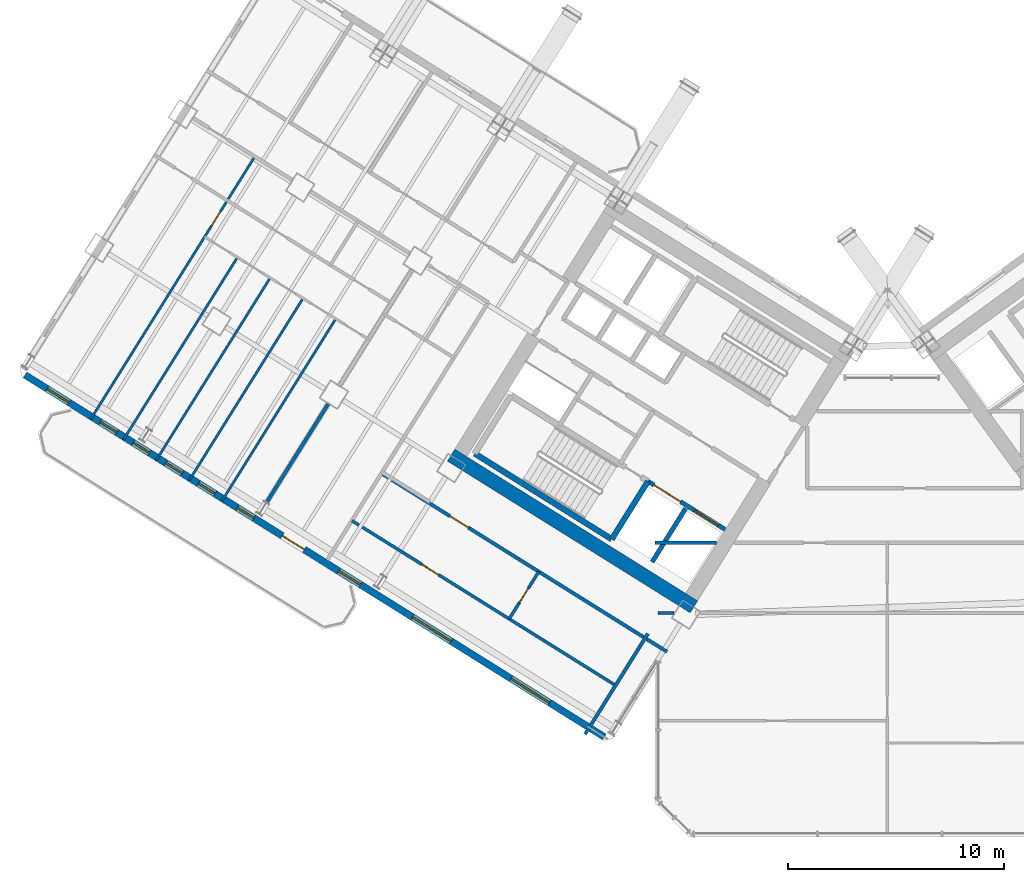
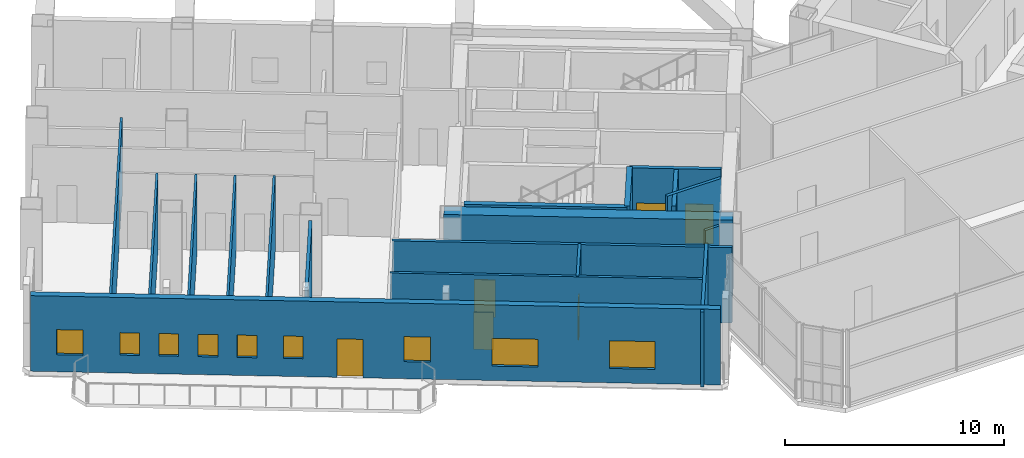
# One storey, part 21 of 30: 18 walls, 9 windows, 7 doors, 16 openings.
"""IFC4 building model written with IfcOpenShell, lengths in metres."""

from ifc_helpers import new_model, si_unit, direction, frame, frame_2d, origin, place, context, subcontext, project, spatial, rectangle, extrude, source, transform, mapped, material, layer, layer_set, type_object, element, fill, save


model = new_model("IFC4")

# Units and contexts
model_context = context("Model", 3, precision=1e-05, world=origin(), true_north=direction((0.0, 1.0)))
body_context = subcontext(model_context, "Body", "Model", "MODEL_VIEW")
ifc_project = project(units=[si_unit("LENGTHUNIT", "METRE"), si_unit("AREAUNIT", "SQUARE_METRE"), si_unit("VOLUMEUNIT", "CUBIC_METRE"), si_unit("PLANEANGLEUNIT", "RADIAN"), si_unit("MASSUNIT", "GRAM", prefix="KILO")], contexts=[model_context])

# Site, building, storey
site_placement = place(None, origin())
site = spatial("IfcSite", under=ifc_project, at=site_placement, CompositionType="ELEMENT")
building_placement = place(site_placement, origin())
building = spatial("IfcBuilding", under=site, at=building_placement, Name="Tlacorven Tower", CompositionType="ELEMENT")
storey_placement = place(building_placement, frame((0.0, 0.0, 67.199951171875)))
storey = spatial("IfcBuildingStorey", under=building, at=storey_placement, Name="L17", CompositionType="ELEMENT", Elevation=67.199951171875)

# Walls
ifc_material_1 = material(Name="Concrete C60/75", Category="concrete")
ifc_layer_1 = layer(ifc_material_1, 0.64990234375)
ifc_layer_set_1 = layer_set([ifc_layer_1], Name="Concrete C60/75")
wall_type_1 = type_object("IfcWallType", Name="WL-COR-650", PredefinedType="SHEAR", material=ifc_layer_set_1)
wall_1_placement = place(storey_placement, frame((33.40869140625, 12.449951171875, 0.0), z_axis=(0.0, 0.0, 1.0), x_axis=(-0.848051132073, 0.529914405721, 0.0)))
element("IfcWall", 1, at=wall_1_placement, inside=storey, type_object=wall_type_1, Name="L17 W core shear wall S2", PredefinedType="SHEAR", context=body_context, shape_type="SweptSolid", body=[
    extrude(rectangle(XDim=13.239990234375, YDim=0.64990234375, at=frame_2d((6.6201171875, 0.0))), origin(), (0.0, 0.0, 1.0), 4.219970703125),
])
ifc_material_2 = material(Name="Gypsum plasterboard acoustic partition", Category="gypsum")
ifc_layer_2 = layer(ifc_material_2, 0.159912109375)
ifc_layer_set_2 = layer_set([ifc_layer_2], Name="Gypsum plasterboard acoustic partition")
wall_type_2 = type_object("IfcWallType", Name="WL-DEM-160", PredefinedType="PARTITIONING", material=ifc_layer_set_2)
wall_2_placement = place(storey_placement, frame((16.4921875, 21.8271484375, 0.0), z_axis=(0.0, 0.0, 1.0), x_axis=(-0.529904608059, -0.848057254175, 0.0)))
element("IfcWall", 2, at=wall_2_placement, inside=storey, type_object=wall_type_2, Name="L17 WN Demising Wall 1", PredefinedType="PARTITIONING", context=body_context, shape_type="SweptSolid", body=[
    extrude(rectangle(XDim=5.350830078125, YDim=0.159912109375, at=frame_2d((2.67529296875, 0.0))), origin(), (0.0, 0.0, 1.0), 4.2099609375),
])

# Wall, opening, door
wall_3_placement = place(storey_placement, frame((32.164306640625, 10.373779296875, 0.0), z_axis=(0.0, 0.0, 1.0), x_axis=(-0.848044107957, 0.529925646633, 0.0)))
wall_3 = element("IfcWall", 3, at=wall_3_placement, inside=storey, type_object=wall_type_2, Name="L17 partition 73", PredefinedType="PARTITIONING", context=body_context, shape_type="SweptSolid", body=[
    extrude(rectangle(XDim=15.570068359375, YDim=0.159912109375, at=frame_2d((7.78515625, 0.0))), origin(), (0.0, 0.0, 1.0), 4.2099609375),
])
opening_1_placement = place(wall_3_placement, frame((10.830078125, 0.0, 0.0)))
opening_1 = element("IfcOpeningElement", 4, at=opening_1_placement, cuts=wall_3, Name="Opening D11", PredefinedType="OPENING", context=body_context, shape_type="SweptSolid", body=[
    extrude(rectangle(XDim=1.0, YDim=2.10009765625, at=frame_2d((0.5, 1.050048828125))), frame((0.0, 0.08984375, 0.0), z_axis=(0.0, -1.0, 0.0), x_axis=(1.0, 0.0, 0.0)), (0.0, 0.0, 1.0), 0.179931640625),
])
ifc_material_3 = material(Name="Fire-rated steel door assembly", Category="steel")
door_type_1 = type_object("IfcDoorType", Name="DR-FLT-FD60-1000", OperationType="NOTDEFINED", PredefinedType="DOOR", material=ifc_material_3)
shared_shape_1 = source(origin(), body_context, "Body", "SweptSolid", [
    extrude(rectangle(XDim=1.0, YDim=2.10009765625, at=frame_2d((0.5, 1.050048828125))), frame((0.0, 0.02490234375, 0.0), z_axis=(0.0, -1.0, 0.0), x_axis=(1.0, 0.0, 0.0)), (0.0, 0.0, 1.0), 0.050048828125),
])
door_1_placement = place(opening_1_placement, origin())
door_1 = element("IfcDoor", 5, at=door_1_placement, inside=storey, type_object=door_type_1, Name="L17 door 042", OperationType="SINGLE_SWING_LEFT", OverallHeight=2.10009765625, OverallWidth=1.0, PredefinedType="DOOR", context=body_context, shape_type="MappedRepresentation", body=[
    mapped(shared_shape_1, transform((0.0, 0.0, 0.0), scale=1.0)),
])
fill(opening_1, door_1)

# Walls
wall_4_placement = place(storey_placement, frame((31.282470703125, 11.2080078125, 0.0), z_axis=(0.0, 0.0, 1.0), x_axis=(-0.529938869374, -0.84803584519, 0.0)))
element("IfcWall", 6, at=wall_4_placement, inside=storey, type_object=wall_type_2, Name="L17 WC West Throat Wall", PredefinedType="PARTITIONING", context=body_context, shape_type="SweptSolid", body=[
    extrude(rectangle(XDim=5.47998046875, YDim=0.159912109375, at=frame_2d((2.739990234375, 0.0))), origin(), (0.0, 0.0, 1.0), 4.2099609375),
])
wall_5_placement = place(storey_placement, frame((31.60009765625, 15.419921875, 0.0), z_axis=(0.0, 0.0, 1.0), x_axis=(1.0, 0.0, 0.0)))
element("IfcWall", 7, at=wall_5_placement, inside=storey, type_object=wall_type_2, Name="L17 Knuckle Corridor South Wall", PredefinedType="PARTITIONING", context=body_context, shape_type="SweptSolid", body=[
    extrude(rectangle(XDim=2.8662109375, YDim=0.159912109375, at=frame_2d((1.43310546875, 0.0))), origin(), (0.0, 0.0, 1.0), 4.2099609375),
])

# Wall, openings, door, windows
ifc_material_4 = material(Name="Precast concrete C45/55", Category="concrete")
ifc_layer_3 = layer(ifc_material_4, 0.320068359375)
ifc_layer_set_3 = layer_set([ifc_layer_3], Name="Precast concrete C45/55")
wall_type_3 = type_object("IfcWallType", Name="WL-EXT-320", PredefinedType="STANDARD", material=ifc_layer_set_3)
wall_6_placement = place(storey_placement, frame((29.267822265625, 6.429443359375, 0.0), z_axis=(0.0, 0.0, 1.0), x_axis=(-0.848049971435, 0.529916263149, 0.0)))
wall_6 = element("IfcWall", 8, at=wall_6_placement, inside=storey, type_object=wall_type_3, Name="L17 Masonry-Frame Recessed Facade Wall 1", PredefinedType="STANDARD", context=body_context, shape_type="SweptSolid", body=[
    extrude(rectangle(XDim=31.587646484375, YDim=0.320068359375, at=frame_2d((15.7939453125, 0.0))), origin(), (0.0, 0.0, 1.0), 4.219970703125),
])
opening_2_placement = place(wall_6_placement, frame((16.36181640625, 0.0, 0.0)))
opening_2 = element("IfcOpeningElement", 9, at=opening_2_placement, cuts=wall_6, Name="Opening D05", PredefinedType="OPENING", context=body_context, shape_type="SweptSolid", body=[
    extrude(rectangle(XDim=1.199951171875, YDim=2.14990234375, at=frame_2d((0.60009765625, 1.074951171875))), frame((0.0, 0.169921875, 0.0), z_axis=(0.0, -1.0, 0.0), x_axis=(1.0, 0.0, 0.0)), (0.0, 0.0, 1.0), 0.340087890625),
])
opening_3_placement = place(wall_6_placement, frame((2.98876953125, 0.0, 0.800048828125)))
opening_3 = element("IfcOpeningElement", 10, at=opening_3_placement, cuts=wall_6, Name="Opening WN04", PredefinedType="OPENING", context=body_context, shape_type="SweptSolid", body=[
    extrude(rectangle(XDim=2.10009765625, YDim=1.550048828125, at=frame_2d((1.050048828125, 0.77490234375))), frame((0.0, 0.169921875, 0.0), z_axis=(0.0, -1.0, 0.0), x_axis=(1.0, 0.0, 0.0)), (0.0, 0.0, 1.0), 0.340087890625),
])
opening_4_placement = place(wall_6_placement, frame((8.358642578125, 0.0, 0.800048828125)))
opening_4 = element("IfcOpeningElement", 11, at=opening_4_placement, cuts=wall_6, Name="Opening WN04", PredefinedType="OPENING", context=body_context, shape_type="SweptSolid", body=[
    extrude(rectangle(XDim=2.10009765625, YDim=1.550048828125, at=frame_2d((1.050048828125, 0.77490234375))), frame((0.0, 0.169921875, 0.0), z_axis=(0.0, -1.0, 0.0), x_axis=(1.0, 0.0, 0.0)), (0.0, 0.0, 1.0), 0.340087890625),
])
opening_5_placement = place(wall_6_placement, frame((13.28369140625, 0.0, 0.949951171875)))
opening_5 = element("IfcOpeningElement", 12, at=opening_5_placement, cuts=wall_6, Name="Opening WN03", PredefinedType="OPENING", context=body_context, shape_type="SweptSolid", body=[
    extrude(rectangle(XDim=1.199951171875, YDim=1.39990234375, at=frame_2d((0.60009765625, 0.699951171875))), frame((0.0, 0.169921875, 0.0), z_axis=(0.0, -1.0, 0.0), x_axis=(1.0, 0.0, 0.0)), (0.0, 0.0, 1.0), 0.340087890625),
])
opening_6_placement = place(wall_6_placement, frame((29.18798828125, 0.0, 0.949951171875)))
opening_6 = element("IfcOpeningElement", 13, at=opening_6_placement, cuts=wall_6, Name="Opening WN03", PredefinedType="OPENING", context=body_context, shape_type="SweptSolid", body=[
    extrude(rectangle(XDim=1.199951171875, YDim=1.39990234375, at=frame_2d((0.60009765625, 0.699951171875))), frame((0.0, 0.169921875, 0.0), z_axis=(0.0, -1.0, 0.0), x_axis=(1.0, 0.0, 0.0)), (0.0, 0.0, 1.0), 0.340087890625),
])
opening_7_placement = place(wall_6_placement, frame((19.110107421875, 0.0, 1.0)))
opening_7 = element("IfcOpeningElement", 14, at=opening_7_placement, cuts=wall_6, Name="Opening WN05", PredefinedType="OPENING", context=body_context, shape_type="SweptSolid", body=[
    extrude(rectangle(XDim=0.89990234375, YDim=1.25, at=frame_2d((0.449951171875, 0.625))), frame((0.0, 0.169921875, 0.0), z_axis=(0.0, -1.0, 0.0), x_axis=(1.0, 0.0, 0.0)), (0.0, 0.0, 1.0), 0.340087890625),
])
opening_8_placement = place(wall_6_placement, frame((21.2255859375, 0.0, 1.0)))
opening_8 = element("IfcOpeningElement", 15, at=opening_8_placement, cuts=wall_6, Name="Opening WN05", PredefinedType="OPENING", context=body_context, shape_type="SweptSolid", body=[
    extrude(rectangle(XDim=0.89990234375, YDim=1.25, at=frame_2d((0.449951171875, 0.625))), frame((0.0, 0.169921875, 0.0), z_axis=(0.0, -1.0, 0.0), x_axis=(1.0, 0.0, 0.0)), (0.0, 0.0, 1.0), 0.340087890625),
])
opening_9_placement = place(wall_6_placement, frame((23.013671875, 0.0, 1.0)))
opening_9 = element("IfcOpeningElement", 16, at=opening_9_placement, cuts=wall_6, Name="Opening WN05", PredefinedType="OPENING", context=body_context, shape_type="SweptSolid", body=[
    extrude(rectangle(XDim=0.89990234375, YDim=1.25, at=frame_2d((0.449951171875, 0.625))), frame((0.0, 0.169921875, 0.0), z_axis=(0.0, -1.0, 0.0), x_axis=(1.0, 0.0, 0.0)), (0.0, 0.0, 1.0), 0.340087890625),
])
opening_10_placement = place(wall_6_placement, frame((24.8017578125, 0.0, 1.0)))
opening_10 = element("IfcOpeningElement", 17, at=opening_10_placement, cuts=wall_6, Name="Opening WN05", PredefinedType="OPENING", context=body_context, shape_type="SweptSolid", body=[
    extrude(rectangle(XDim=0.89990234375, YDim=1.25, at=frame_2d((0.449951171875, 0.625))), frame((0.0, 0.169921875, 0.0), z_axis=(0.0, -1.0, 0.0), x_axis=(1.0, 0.0, 0.0)), (0.0, 0.0, 1.0), 0.340087890625),
])
opening_11_placement = place(wall_6_placement, frame((26.589599609375, 0.0, 1.0)))
opening_11 = element("IfcOpeningElement", 18, at=opening_11_placement, cuts=wall_6, Name="Opening WN05", PredefinedType="OPENING", context=body_context, shape_type="SweptSolid", body=[
    extrude(rectangle(XDim=0.89990234375, YDim=1.25, at=frame_2d((0.449951171875, 0.625))), frame((0.0, 0.169921875, 0.0), z_axis=(0.0, -1.0, 0.0), x_axis=(1.0, 0.0, 0.0)), (0.0, 0.0, 1.0), 0.340087890625),
])
ifc_material_5 = material(Name="Powder-coated aluminium and timber door", Category="wood")
door_type_2 = type_object("IfcDoorType", Name="DR-EXT-BALC-1200", OperationType="NOTDEFINED", PredefinedType="DOOR", material=ifc_material_5)
shared_shape_2 = source(origin(), body_context, "Body", "SweptSolid", [
    extrude(rectangle(XDim=1.199951171875, YDim=2.14990234375, at=frame_2d((0.60009765625, 1.074951171875))), frame((0.0, 0.02490234375, 0.0), z_axis=(0.0, -1.0, 0.0), x_axis=(1.0, 0.0, 0.0)), (0.0, 0.0, 1.0), 0.050048828125),
])
door_2_placement = place(opening_2_placement, origin())
door_2 = element("IfcDoor", 19, at=door_2_placement, inside=storey, type_object=door_type_2, Name="L17 Outdoor Access Door BAL-L17-W-OUT", OperationType="SINGLE_SWING_LEFT", OverallHeight=2.14990234375, OverallWidth=1.199951171875, PredefinedType="DOOR", context=body_context, shape_type="MappedRepresentation", body=[
    mapped(shared_shape_2, transform((0.0, 0.0, 0.0), scale=1.0)),
])
fill(opening_2, door_2)
ifc_material_6 = material(Name="Dark solar low-E double glazing in anodised aluminium frame", Category="aluminium")
window_type_1 = type_object("IfcWindowType", Name="WN-APT-2100X1750", PartitioningType="SINGLE_PANEL", PredefinedType="WINDOW", material=ifc_material_6)
shared_shape_3 = source(origin(), body_context, "Body", "SweptSolid", [
    extrude(rectangle(XDim=2.10009765625, YDim=1.550048828125, at=frame_2d((1.050048828125, 0.77490234375))), frame((0.0, 0.030029296875, 0.0), z_axis=(0.0, -1.0, 0.0), x_axis=(1.0, 0.0, 0.0)), (0.0, 0.0, 1.0), 0.06005859375),
])
window_1_placement = place(opening_3_placement, origin())
window_1 = element("IfcWindow", 20, at=window_1_placement, inside=storey, type_object=window_type_1, Name="L17 Recessed Masonry-Frame Window L17-01.1", OverallHeight=1.550048828125, OverallWidth=2.10009765625, PartitioningType="SINGLE_PANEL", PredefinedType="WINDOW", context=body_context, shape_type="MappedRepresentation", body=[
    mapped(shared_shape_3, transform((0.0, 0.0, 0.0), scale=1.0)),
])
fill(opening_3, window_1)
window_2_placement = place(opening_4_placement, origin())
window_2 = element("IfcWindow", 21, at=window_2_placement, inside=storey, type_object=window_type_1, Name="L17 Recessed Masonry-Frame Window L17-01.2", OverallHeight=1.550048828125, OverallWidth=2.10009765625, PartitioningType="SINGLE_PANEL", PredefinedType="WINDOW", context=body_context, shape_type="MappedRepresentation", body=[
    mapped(shared_shape_3, transform((0.0, 0.0, 0.0), scale=1.0)),
])
fill(opening_4, window_2)
window_type_2 = type_object("IfcWindowType", Name="WN-APT-1200X1500", PartitioningType="SINGLE_PANEL", PredefinedType="WINDOW", material=ifc_material_6)
shared_shape_4 = source(origin(), body_context, "Body", "SweptSolid", [
    extrude(rectangle(XDim=1.199951171875, YDim=1.39990234375, at=frame_2d((0.60009765625, 0.699951171875))), frame((0.0, 0.030029296875, 0.0), z_axis=(0.0, -1.0, 0.0), x_axis=(1.0, 0.0, 0.0)), (0.0, 0.0, 1.0), 0.06005859375),
])
window_3_placement = place(opening_5_placement, origin())
window_3 = element("IfcWindow", 22, at=window_3_placement, inside=storey, type_object=window_type_2, Name="L17 Recessed Masonry-Frame Window L17-01.3", OverallHeight=1.39990234375, OverallWidth=1.199951171875, PartitioningType="SINGLE_PANEL", PredefinedType="WINDOW", context=body_context, shape_type="MappedRepresentation", body=[
    mapped(shared_shape_4, transform((0.0, 0.0, 0.0), scale=1.0)),
])
fill(opening_5, window_3)
window_4_placement = place(opening_6_placement, origin())
window_4 = element("IfcWindow", 23, at=window_4_placement, inside=storey, type_object=window_type_2, Name="L17 Recessed Masonry-Frame Window L17-01.4", OverallHeight=1.39990234375, OverallWidth=1.199951171875, PartitioningType="SINGLE_PANEL", PredefinedType="WINDOW", context=body_context, shape_type="MappedRepresentation", body=[
    mapped(shared_shape_4, transform((0.0, 0.0, 0.0), scale=1.0)),
])
fill(opening_6, window_4)
window_type_3 = type_object("IfcWindowType", Name="WN-APT-0900X1350", PartitioningType="SINGLE_PANEL", PredefinedType="WINDOW", material=ifc_material_6)
shared_shape_5 = source(origin(), body_context, "Body", "SweptSolid", [
    extrude(rectangle(XDim=0.89990234375, YDim=1.25, at=frame_2d((0.449951171875, 0.625))), frame((0.0, 0.030029296875, 0.0), z_axis=(0.0, -1.0, 0.0), x_axis=(1.0, 0.0, 0.0)), (0.0, 0.0, 1.0), 0.06005859375),
])
window_5_placement = place(opening_7_placement, origin())
window_5 = element("IfcWindow", 24, at=window_5_placement, inside=storey, type_object=window_type_3, Name="L17 Dwelling Daylight Window L17-U02-BD1", OverallHeight=1.25, OverallWidth=0.89990234375, PartitioningType="SINGLE_PANEL", PredefinedType="WINDOW", context=body_context, shape_type="MappedRepresentation", body=[
    mapped(shared_shape_5, transform((0.0, 0.0, 0.0), scale=1.0)),
])
fill(opening_7, window_5)
window_6_placement = place(opening_8_placement, origin())
window_6 = element("IfcWindow", 25, at=window_6_placement, inside=storey, type_object=window_type_3, Name="L17 Dwelling Daylight Window L17-U02-BD2", OverallHeight=1.25, OverallWidth=0.89990234375, PartitioningType="SINGLE_PANEL", PredefinedType="WINDOW", context=body_context, shape_type="MappedRepresentation", body=[
    mapped(shared_shape_5, transform((0.0, 0.0, 0.0), scale=1.0)),
])
fill(opening_8, window_6)
window_7_placement = place(opening_9_placement, origin())
window_7 = element("IfcWindow", 26, at=window_7_placement, inside=storey, type_object=window_type_3, Name="L17 Dwelling Daylight Window L17-U02-BD3", OverallHeight=1.25, OverallWidth=0.89990234375, PartitioningType="SINGLE_PANEL", PredefinedType="WINDOW", context=body_context, shape_type="MappedRepresentation", body=[
    mapped(shared_shape_5, transform((0.0, 0.0, 0.0), scale=1.0)),
])
fill(opening_9, window_7)
window_8_placement = place(opening_10_placement, origin())
window_8 = element("IfcWindow", 27, at=window_8_placement, inside=storey, type_object=window_type_3, Name="L17 Dwelling Daylight Window L17-U02-BD4", OverallHeight=1.25, OverallWidth=0.89990234375, PartitioningType="SINGLE_PANEL", PredefinedType="WINDOW", context=body_context, shape_type="MappedRepresentation", body=[
    mapped(shared_shape_5, transform((0.0, 0.0, 0.0), scale=1.0)),
])
fill(opening_10, window_8)
window_9_placement = place(opening_11_placement, origin())
window_9 = element("IfcWindow", 28, at=window_9_placement, inside=storey, type_object=window_type_3, Name="L17 Dwelling Daylight Window L17-U02-BD5", OverallHeight=1.25, OverallWidth=0.89990234375, PartitioningType="SINGLE_PANEL", PredefinedType="WINDOW", context=body_context, shape_type="MappedRepresentation", body=[
    mapped(shared_shape_5, transform((0.0, 0.0, 0.0), scale=1.0)),
])
fill(opening_11, window_9)

# Wall, opening, door
ifc_material_7 = material(Name="Gypsum plasterboard partition", Category="gypsum")
ifc_layer_4 = layer(ifc_material_7, 0.110107421875)
ifc_layer_set_4 = layer_set([ifc_layer_4], Name="Gypsum plasterboard partition")
wall_type_4 = type_object("IfcWallType", Name="WL-INT-110", PredefinedType="PARTITIONING", material=ifc_layer_set_4)
wall_7_placement = place(storey_placement, frame((13.103515625, 33.2744140625, 0.0), z_axis=(0.0, 0.0, 1.0), x_axis=(-0.529916182913, -0.848050021571, 0.0)))
wall_7 = element("IfcWall", 29, at=wall_7_placement, inside=storey, type_object=wall_type_4, Name="L17 partition 60", PredefinedType="PARTITIONING", context=body_context, shape_type="SweptSolid", body=[
    extrude(rectangle(XDim=14.320068359375, YDim=0.110107421875, at=frame_2d((7.16015625, 0.0))), origin(), (0.0, 0.0, 1.0), 4.2099609375),
])
opening_12_placement = place(wall_7_placement, frame((3.0, 0.0, 0.0)))
opening_12 = element("IfcOpeningElement", 30, at=opening_12_placement, cuts=wall_7, Name="Opening D22", PredefinedType="OPENING", context=body_context, shape_type="SweptSolid", body=[
    extrude(rectangle(XDim=0.780029296875, YDim=2.050048828125, at=frame_2d((0.39013671875, 1.02490234375))), frame((0.0, 0.06494140625, 0.0), z_axis=(0.0, -1.0, 0.0), x_axis=(1.0, 0.0, 0.0)), (0.0, 0.0, 1.0), 0.130126953125),
])
door_type_3 = type_object("IfcDoorType", Name="DR-INT-WET-0780", OperationType="NOTDEFINED", PredefinedType="DOOR", material=ifc_material_5)
shared_shape_6 = source(origin(), body_context, "Body", "SweptSolid", [
    extrude(rectangle(XDim=0.780029296875, YDim=2.050048828125, at=frame_2d((0.39013671875, 1.02490234375))), frame((0.0, 0.02490234375, 0.0), z_axis=(0.0, -1.0, 0.0), x_axis=(1.0, 0.0, 0.0)), (0.0, 0.0, 1.0), 0.050048828125),
])
door_3_placement = place(opening_12_placement, origin())
door_3 = element("IfcDoor", 31, at=door_3_placement, inside=storey, type_object=door_type_3, Name="L17 door 030", OperationType="SINGLE_SWING_LEFT", OverallHeight=2.050048828125, OverallWidth=0.780029296875, PredefinedType="DOOR", context=body_context, shape_type="MappedRepresentation", body=[
    mapped(shared_shape_6, transform((0.0, 0.0, 0.0), scale=1.0)),
])
fill(opening_12, door_3)

# Walls
for number, where, z_axis, x_axis, name in (
    (32, (16.84765625, 25.77001953125, 0.0), (0.0, 0.0, 1.0), (-0.529910626741, -0.8480534934, 0.0), "L17 partition 66"),
    (33, (15.331298828125, 26.717529296875, 0.0), (0.0, 0.0, 1.0), (-0.529910626741, -0.8480534934, 0.0), "L17 partition 67"),
    (34, (13.81494140625, 27.6650390625, 0.0), (0.0, 0.0, 1.0), (-0.529910626741, -0.8480534934, 0.0), "L17 partition 68"),
):
    element("IfcWall", number, at=place(storey_placement, frame(where, z_axis=z_axis, x_axis=x_axis)), inside=storey, type_object=wall_type_4, Name=name, PredefinedType="PARTITIONING", context=body_context, shape_type="SweptSolid", body=[
        extrude(rectangle(XDim=9.93994140625, YDim=0.110107421875, at=frame_2d((4.969970703125, 0.0))), origin(), (0.0, 0.0, 1.0), 4.2099609375),
    ])
wall_8_placement = place(storey_placement, frame((12.298828125, 28.612548828125, 0.0), z_axis=(0.0, 0.0, 1.0), x_axis=(-0.529928290772, -0.848042455682, 0.0)))
element("IfcWall", 35, at=wall_8_placement, inside=storey, type_object=wall_type_4, Name="L17 partition 69", PredefinedType="PARTITIONING", context=body_context, shape_type="SweptSolid", body=[
    extrude(rectangle(XDim=9.940185546875, YDim=0.110107421875, at=frame_2d((4.97021484375, 0.0))), origin(), (0.0, 0.0, 1.0), 4.2099609375),
])

# Wall, opening, door
ifc_material_8 = material(Name="Moisture-resistant gypsum plumbing wall", Category="gypsum")
ifc_layer_5 = layer(ifc_material_8, 0.139892578125)
ifc_layer_set_5 = layer_set([ifc_layer_5], Name="Moisture-resistant gypsum plumbing wall")
wall_type_5 = type_object("IfcWallType", Name="WL-PLM-140", PredefinedType="PLUMBINGWALL", material=ifc_layer_set_5)
wall_9_placement = place(storey_placement, frame((29.72021484375, 8.85888671875, 0.0), z_axis=(0.0, 0.0, 1.0), x_axis=(-0.848049134363, 0.529917602752, 0.0)))
wall_9 = element("IfcWall", 36, at=wall_9_placement, inside=storey, type_object=wall_type_5, Name="L17 partition 75", PredefinedType="PLUMBINGWALL", context=body_context, shape_type="SweptSolid", body=[
    extrude(rectangle(XDim=14.300048828125, YDim=0.139892578125, at=frame_2d((7.14990234375, 0.0))), origin(), (0.0, 0.0, 1.0), 4.2099609375),
])
opening_13_placement = place(wall_9_placement, frame((9.570068359375, 0.0, 0.0)))
opening_13 = element("IfcOpeningElement", 37, at=opening_13_placement, cuts=wall_9, Name="Opening D12", PredefinedType="OPENING", context=body_context, shape_type="SweptSolid", body=[
    extrude(rectangle(XDim=0.919921875, YDim=2.080078125, at=frame_2d((0.4599609375, 1.0400390625))), frame((0.0, 0.080078125, 0.0), z_axis=(0.0, -1.0, 0.0), x_axis=(1.0, 0.0, 0.0)), (0.0, 0.0, 1.0), 0.159912109375),
])
door_type_4 = type_object("IfcDoorType", Name="DR-INT-ROOM-0920", OperationType="NOTDEFINED", PredefinedType="DOOR", material=ifc_material_5)
shared_shape_7 = source(origin(), body_context, "Body", "SweptSolid", [
    extrude(rectangle(XDim=0.919921875, YDim=2.080078125, at=frame_2d((0.4599609375, 1.0400390625))), frame((0.0, 0.02490234375, 0.0), z_axis=(0.0, -1.0, 0.0), x_axis=(1.0, 0.0, 0.0)), (0.0, 0.0, 1.0), 0.050048828125),
])
door_4_placement = place(opening_13_placement, origin())
door_4 = element("IfcDoor", 38, at=door_4_placement, inside=storey, type_object=door_type_4, Name="L17 door 043", OperationType="SINGLE_SWING_RIGHT", OverallHeight=2.080078125, OverallWidth=0.919921875, PredefinedType="DOOR", context=body_context, shape_type="MappedRepresentation", body=[
    mapped(shared_shape_7, transform((0.0, 0.0, 0.0), scale=1.0)),
])
fill(opening_13, door_4)

wall_10_placement = place(storey_placement, frame((26.236572265625, 14.077880859375, 0.0), z_axis=(0.0, 0.0, 1.0), x_axis=(-0.52995640672, -0.848024885824, 0.0)))
wall_10 = element("IfcWall", 39, at=wall_10_placement, inside=storey, type_object=wall_type_5, Name="L17 partition 76", PredefinedType="PLUMBINGWALL", context=body_context, shape_type="SweptSolid", body=[
    extrude(rectangle(XDim=2.579833984375, YDim=0.139892578125, at=frame_2d((1.2900390625, 0.0))), origin(), (0.0, 0.0, 1.0), 4.2099609375),
])
opening_14_placement = place(wall_10_placement, frame((0.89990234375, 0.0, 0.0)))
opening_14 = element("IfcOpeningElement", 40, at=opening_14_placement, cuts=wall_10, Name="Opening D22", PredefinedType="OPENING", context=body_context, shape_type="SweptSolid", body=[
    extrude(rectangle(XDim=0.780029296875, YDim=2.050048828125, at=frame_2d((0.39013671875, 1.02490234375))), frame((0.0, 0.080078125, 0.0), z_axis=(0.0, -1.0, 0.0), x_axis=(1.0, 0.0, 0.0)), (0.0, 0.0, 1.0), 0.159912109375),
])
door_5_placement = place(opening_14_placement, origin())
door_5 = element("IfcDoor", 41, at=door_5_placement, inside=storey, type_object=door_type_3, Name="L17 door 044", OperationType="SINGLE_SWING_LEFT", OverallHeight=2.050048828125, OverallWidth=0.780029296875, PredefinedType="DOOR", context=body_context, shape_type="MappedRepresentation", body=[
    mapped(shared_shape_6, transform((0.0, 0.0, 0.0), scale=1.0)),
])
fill(opening_14, door_5)

# Wall
wall_11_placement = place(storey_placement, frame((31.739990234375, 12.169921875, 0.0), z_axis=(0.0, 0.0, 1.0), x_axis=(1.0, 0.0, 0.0)))
element("IfcWall", 42, at=wall_11_placement, inside=storey, type_object=wall_type_5, Name="L17 partition 85", PredefinedType="PLUMBINGWALL", context=body_context, shape_type="SweptSolid", body=[
    extrude(rectangle(XDim=0.75439453125, YDim=0.139892578125, at=frame_2d((0.377197265625, 0.0))), origin(), (0.0, 0.0, 1.0), 4.2099609375),
])

# Wall, openings, doors
ifc_material_9 = material(Name="Concrete C40/50", Category="concrete")
ifc_layer_6 = layer(ifc_material_9, 0.199951171875)
ifc_layer_set_6 = layer_set([ifc_layer_6], Name="Concrete C40/50")
wall_type_6 = type_object("IfcWallType", Name="WL-SHF-200", PredefinedType="STANDARD", material=ifc_layer_set_6)
wall_12_placement = place(storey_placement, frame((34.84814453125, 16.03125, 0.0), z_axis=(0.0, 0.0, 1.0), x_axis=(-0.848044042236, 0.529925751807, 0.0)))
wall_12 = element("IfcWall", 43, at=wall_12_placement, inside=storey, type_object=wall_type_6, Name="L17 Core W Firefighting Lift Shaft Front Wall", PredefinedType="STANDARD", context=body_context, shape_type="SweptSolid", body=[
    extrude(rectangle(XDim=4.197998046875, YDim=0.199951171875, at=frame_2d((2.09912109375, 0.0))), origin(), (0.0, 0.0, 1.0), 4.2099609375),
])
opening_15_placement = place(wall_12_placement, frame((0.347900390625, 0.0, 0.0)))
opening_15 = element("IfcOpeningElement", 44, at=opening_15_placement, cuts=wall_12, Name="Opening LD03", PredefinedType="OPENING", context=body_context, shape_type="SweptSolid", body=[
    extrude(rectangle(XDim=1.300048828125, YDim=2.199951171875, at=frame_2d((0.64990234375, 1.10009765625))), frame((0.0, 0.10986328125, 0.0), z_axis=(0.0, -1.0, 0.0), x_axis=(1.0, 0.0, 0.0)), (0.0, 0.0, 1.0), 0.219970703125),
])
opening_16_placement = place(wall_12_placement, frame((2.423095703125, 0.0, 0.0)))
opening_16 = element("IfcOpeningElement", 45, at=opening_16_placement, cuts=wall_12, Name="Opening LD04", PredefinedType="OPENING", context=body_context, shape_type="SweptSolid", body=[
    extrude(rectangle(XDim=1.449951171875, YDim=2.25, at=frame_2d((0.72509765625, 1.125))), frame((0.0, 0.10986328125, 0.0), z_axis=(0.0, -1.0, 0.0), x_axis=(1.0, 0.0, 0.0)), (0.0, 0.0, 1.0), 0.219970703125),
])
door_type_5 = type_object("IfcDoorType", Name="DR-LFT-SLID-1300", OperationType="DOUBLE_DOOR_SLIDING", PredefinedType="DOOR", material=ifc_material_3)
shared_shape_8 = source(origin(), body_context, "Body", "SweptSolid", [
    extrude(rectangle(XDim=1.300048828125, YDim=2.199951171875, at=frame_2d((0.64990234375, 1.10009765625))), frame((0.0, 0.02490234375, 0.0), z_axis=(0.0, -1.0, 0.0), x_axis=(1.0, 0.0, 0.0)), (0.0, 0.0, 1.0), 0.050048828125),
])
door_6_placement = place(opening_15_placement, origin())
door_6 = element("IfcDoor", 46, at=door_6_placement, inside=storey, type_object=door_type_5, Name="L17 Lift FFL-W1 Sliding Landing Door", OperationType="DOUBLE_DOOR_SLIDING", OverallHeight=2.199951171875, OverallWidth=1.300048828125, PredefinedType="DOOR", context=body_context, shape_type="MappedRepresentation", body=[
    mapped(shared_shape_8, transform((0.0, 0.0, 0.0), scale=1.0)),
])
fill(opening_15, door_6)
door_type_6 = type_object("IfcDoorType", Name="DR-LFT-SLID-1450", OperationType="DOUBLE_DOOR_SLIDING", PredefinedType="DOOR", material=ifc_material_3)
shared_shape_9 = source(origin(), body_context, "Body", "SweptSolid", [
    extrude(rectangle(XDim=1.449951171875, YDim=2.25, at=frame_2d((0.72509765625, 1.125))), frame((0.0, 0.02490234375, 0.0), z_axis=(0.0, -1.0, 0.0), x_axis=(1.0, 0.0, 0.0)), (0.0, 0.0, 1.0), 0.050048828125),
])
door_7_placement = place(opening_16_placement, origin())
door_7 = element("IfcDoor", 47, at=door_7_placement, inside=storey, type_object=door_type_6, Name="L17 Lift SVL-W1 Sliding Landing Door", OperationType="DOUBLE_DOOR_SLIDING", OverallHeight=2.25, OverallWidth=1.449951171875, PredefinedType="DOOR", context=body_context, shape_type="MappedRepresentation", body=[
    mapped(shared_shape_9, transform((0.0, 0.0, 0.0), scale=1.0)),
])
fill(opening_16, door_7)

# Walls
wall_13_placement = place(storey_placement, frame((33.02880859375, 17.003173828125, 0.0), z_axis=(0.0, 0.0, 1.0), x_axis=(-0.529916267533, -0.848049968695, 0.0)))
element("IfcWall", 48, at=wall_13_placement, inside=storey, type_object=wall_type_6, Name="L17 partition 14", PredefinedType="STANDARD", context=body_context, shape_type="SweptSolid", body=[
    extrude(rectangle(XDim=2.919921875, YDim=0.199951171875, at=frame_2d((1.4599609375, 0.0))), origin(), (0.0, 0.0, 1.0), 4.2099609375),
])
ifc_material_10 = material(Name="Concrete C50/60", Category="concrete")
ifc_layer_7 = layer(ifc_material_10, 0.260009765625)
ifc_layer_set_7 = layer_set([ifc_layer_7], Name="Concrete C50/60")
wall_type_7 = type_object("IfcWallType", Name="WL-STW-260", PredefinedType="SHEAR", material=ifc_layer_set_7)
wall_14_placement = place(storey_placement, frame((29.60498046875, 15.581298828125, 0.0), z_axis=(0.0, 0.0, 1.0), x_axis=(-0.848036911448, 0.529937163087, 0.0)))
element("IfcWall", 49, at=wall_14_placement, inside=storey, type_object=wall_type_7, Name="L17 Stair W1 Far Shear Wall", PredefinedType="SHEAR", context=body_context, shape_type="SweptSolid", body=[
    extrude(rectangle(XDim=7.4599609375, YDim=0.260009765625, at=frame_2d((3.72998046875, 0.0))), origin(), (0.0, 0.0, 1.0), 4.219970703125),
])
wall_15_placement = place(storey_placement, frame((31.2880859375, 18.255859375, 0.0), z_axis=(0.0, 0.0, 1.0), x_axis=(-0.529943379326, -0.848033026897, 0.0)))
element("IfcWall", 50, at=wall_15_placement, inside=storey, type_object=wall_type_7, Name="L17 Stair W1 West Shear Wall", PredefinedType="SHEAR", context=body_context, shape_type="SweptSolid", body=[
    extrude(rectangle(XDim=3.159912109375, YDim=0.260009765625, at=frame_2d((1.580078125, 0.0))), origin(), (0.0, 0.0, 1.0), 4.219970703125),
])

save(model, "model.ifc")
